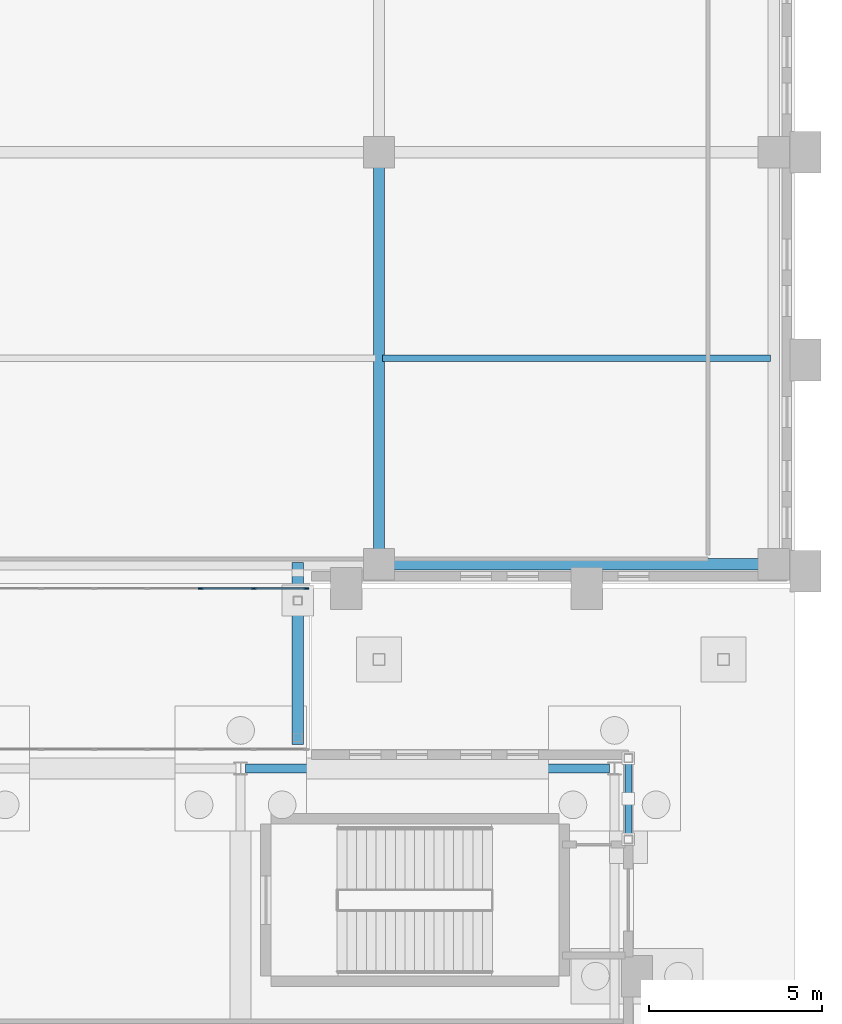
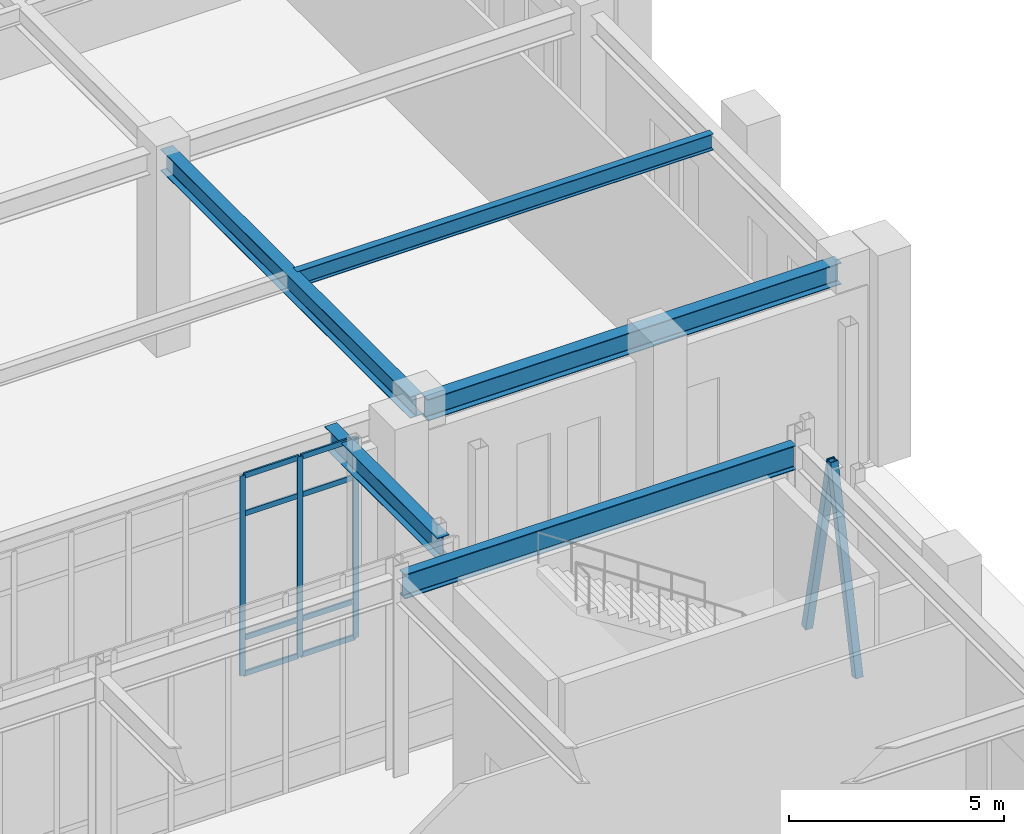
# One storey, part 73 of 143: 13 members, 5 beams, 1 element without a shape of its own.
"""IFC4 building model written with IfcOpenShell, lengths in metres."""

from ifc_helpers import new_model, si_unit, derived_unit, direction, frame, origin, origin_2d, place, context, subcontext, project, spatial, rectangle, hollow_rectangle, i_section, extrude, material, layer, layer_set, material_profile, profile_set, type_object, element, aggregate, save


model = new_model("IFC4")

# Units and contexts
model_context = context("Model", 3, precision=1e-05, world=origin(), true_north=direction((0.0, 1.0)))
body_context = subcontext(model_context, "Body", "Model", "MODEL_VIEW")
ifc_project = project(units=[si_unit("LENGTHUNIT", "METRE"), si_unit("AREAUNIT", "SQUARE_METRE"), si_unit("VOLUMEUNIT", "CUBIC_METRE"), si_unit("PLANEANGLEUNIT", "RADIAN"), si_unit("MASSUNIT", "GRAM", prefix="KILO"), derived_unit("THERMALTRANSMITTANCEUNIT", [(si_unit("MASSUNIT", "GRAM", prefix="KILO"), 1), (si_unit("TIMEUNIT", "SECOND"), -3), (si_unit("THERMODYNAMICTEMPERATUREUNIT", "KELVIN"), -1)])], contexts=[model_context])

# Site, building, storey
site_placement = place(None, origin())
site = spatial("IfcSite", under=ifc_project, at=site_placement, CompositionType="ELEMENT")
building_placement = place(site_placement, origin())
building = spatial("IfcBuilding", under=site, at=building_placement, Name="Valcora Ridge Arena", CompositionType="ELEMENT")
storey_placement = place(building_placement, origin())
storey = spatial("IfcBuildingStorey", under=building, at=storey_placement, Name="L00", CompositionType="ELEMENT", Elevation=0.0)

# Beams
ifc_material_1 = material(Name="Steel ASTM A572 Grade 50", Category="steel")
ifc_material_profile_1 = material_profile(ifc_material_1, i_section(OverallWidth=0.324951171875, OverallDepth=0.612060546875, WebThickness=0.0126953125, FlangeThickness=0.01904296875, FilletRadius=0.01806640625, at=origin_2d()), Name="W24X104")
ifc_profile_set_1 = profile_set([ifc_material_profile_1], Name="Steel ASTM A572 Grade 50")
beam_type_1 = type_object("IfcBeamType", Name="TY-BEAM-B-SJ1", PredefinedType="BEAM", material=ifc_profile_set_1)
beam_1_placement = place(storey_placement, frame((177.64990234375, 78.5, 5.3740234375), z_axis=(0.0, 1.0, 0.0), x_axis=(-1.0, 0.0, 0.0)))
element("IfcBeam", 1, at=beam_1_placement, inside=storey, type_object=beam_type_1, Name="B-SJ1 BEM-SJ-B-SJ1-0006", PredefinedType="BEAM", context=body_context, shape_type="SweptSolid", body=[
    extrude(i_section(OverallWidth=0.324951171875, OverallDepth=0.612060546875, WebThickness=0.0126953125, FlangeThickness=0.01904296875, FilletRadius=0.01806640625, at=origin_2d()), origin(), (0.0, 0.0, 1.0), 5.25),
])
ifc_material_profile_2 = material_profile(ifc_material_1, i_section(OverallWidth=0.324951171875, OverallDepth=0.612060546875, WebThickness=0.0126953125, FlangeThickness=0.01904296875, FilletRadius=0.01806640625, at=origin_2d()), Name="W24X104")
ifc_profile_set_2 = profile_set([ifc_material_profile_2], Name="Steel ASTM A572 Grade 50")
beam_type_2 = type_object("IfcBeamType", Name="TY-BEAM-G-W24X104-Y", PredefinedType="BEAM", material=ifc_profile_set_2)
beam_2_placement = place(storey_placement, frame((180.0, 83.840087890625, 5.333984375), z_axis=(0.0, 1.0, 0.0), x_axis=(-1.0, 0.0, 0.0)))
element("IfcBeam", 2, at=beam_2_placement, inside=storey, type_object=beam_type_2, Name="G-W24X104-Y BEM-G-W24X104-Y-0029", PredefinedType="BEAM", context=body_context, shape_type="SweptSolid", body=[
    extrude(i_section(OverallWidth=0.324951171875, OverallDepth=0.612060546875, WebThickness=0.0126953125, FlangeThickness=0.01904296875, FilletRadius=0.01806640625, at=origin_2d()), origin(), (0.0, 0.0, 1.0), 11.619873046875),
])
ifc_material_profile_3 = material_profile(ifc_material_1, i_section(OverallWidth=0.18994140625, OverallDepth=0.45703125, WebThickness=0.009033203125, FlangeThickness=0.014404296875, FilletRadius=0.014892578125, at=origin_2d()), Name="W18X50")
ifc_profile_set_3 = profile_set([ifc_material_profile_3], Name="Steel ASTM A572 Grade 50")
beam_type_3 = type_object("IfcBeamType", Name="TY-BEAM-J-W18X50", PredefinedType="JOIST", material=ifc_profile_set_3)
beam_3_placement = place(storey_placement, frame((180.10009765625, 89.64990234375, 5.41162109375), z_axis=(1.0, 0.0, 0.0), x_axis=(0.0, 1.0, 0.0)))
element("IfcBeam", 3, at=beam_3_placement, inside=storey, type_object=beam_type_3, Name="J-W18X50 BEM-J-W18X50-0023", PredefinedType="JOIST", context=body_context, shape_type="SweptSolid", body=[
    extrude(i_section(OverallWidth=0.18994140625, OverallDepth=0.45703125, WebThickness=0.009033203125, FlangeThickness=0.014404296875, FilletRadius=0.014892578125, at=origin_2d()), origin(), (0.0, 0.0, 1.0), 11.199951171875),
])
ifc_material_profile_4 = material_profile(ifc_material_1, i_section(OverallWidth=0.324951171875, OverallDepth=0.612060546875, WebThickness=0.0126953125, FlangeThickness=0.01904296875, FilletRadius=0.01806640625, at=origin_2d()), Name="W24X104")
ifc_profile_set_4 = profile_set([ifc_material_profile_4], Name="Steel ASTM A572 Grade 50")
beam_type_4 = type_object("IfcBeamType", Name="TY-BEAM-SP-W24X104", PredefinedType="SPANDREL", material=ifc_profile_set_4)
beam_4_placement = place(storey_placement, frame((180.139892578125, 83.699951171875, 5.333984375), z_axis=(1.0, 0.0, 0.0), x_axis=(0.0, 1.0, 0.0)))
element("IfcBeam", 4, at=beam_4_placement, inside=storey, type_object=beam_type_4, Name="SP-W24X104 BEM-SP-W24X104-0003", PredefinedType="SPANDREL", context=body_context, shape_type="SweptSolid", body=[
    extrude(i_section(OverallWidth=0.324951171875, OverallDepth=0.612060546875, WebThickness=0.0126953125, FlangeThickness=0.01904296875, FilletRadius=0.01806640625, at=origin_2d()), origin(), (0.0, 0.0, 1.0), 11.1201171875),
])
ifc_material_profile_5 = material_profile(ifc_material_1, i_section(OverallWidth=0.256103515625, OverallDepth=0.693115234375, WebThickness=0.014404296875, FlangeThickness=0.023681640625, FilletRadius=0.02001953125, at=origin_2d()), Name="W27X114")
ifc_profile_set_5 = profile_set([ifc_material_profile_5], Name="Steel ASTM A572 Grade 50")
beam_type_5 = type_object("IfcBeamType", Name="TY-BEAM-SP-W27X114", PredefinedType="SPANDREL", material=ifc_profile_set_5)
beam_5_placement = place(storey_placement, frame((176.139892578125, 77.800048828125, 5.2734375), z_axis=(1.0, 0.0, 0.0), x_axis=(0.0, 1.0, 0.0)))
element("IfcBeam", 5, at=beam_5_placement, inside=storey, type_object=beam_type_5, Name="SP-W27X114 BEM-SP-W27X114-0010", PredefinedType="SPANDREL", context=body_context, shape_type="SweptSolid", body=[
    extrude(i_section(OverallWidth=0.256103515625, OverallDepth=0.693115234375, WebThickness=0.014404296875, FlangeThickness=0.023681640625, FilletRadius=0.02001953125, at=origin_2d()), origin(), (0.0, 0.0, 1.0), 10.52001953125),
])

# Curtain wall, members
ifc_material_2 = material(Name="Anodised dark bronze architectural aluminium 6063-T6", Category="aluminium")
ifc_layer = layer(ifc_material_2, 0.14990234375, Name="Anodised dark bronze architectural aluminium 6063-T6")
ifc_layer_set = layer_set([ifc_layer], Name="Anodised dark bronze architectural aluminium 6063-T6")
curtain_wall_type = type_object("IfcCurtainWallType", Name="TY-CURTAINWALL-CW-BRG-138X57", PredefinedType="NOTDEFINED", material=ifc_layer_set)
curtain_wall_placement = place(storey_placement, origin())
curtain_wall = element("IfcCurtainWall", 6, at=curtain_wall_placement, inside=storey, type_object=curtain_wall_type, Name="CW-BRG-138X57 CW-0355", PredefinedType="NOTDEFINED")
ifc_material_profile_6 = material_profile(ifc_material_2, rectangle(XDim=0.050048828125, YDim=0.14990234375, at=origin_2d()), Name="ALU MULLION 50x150")
ifc_profile_set_6 = profile_set([ifc_material_profile_6], Name="Anodised dark bronze architectural aluminium 6063-T6")
member_type_1 = type_object("IfcMemberType", Name="TY-MEM-CWM-50x150", PredefinedType="MULLION", material=ifc_profile_set_6)
member_1_placement = place(storey_placement, frame((174.844482421875, 83.0, 0.0), z_axis=(0.0, 0.0, 1.0), x_axis=(0.0, 1.0, 0.0)))
member_1 = element("IfcMember", 7, at=member_1_placement, type_object=member_type_1, Name="CW-0355/CWM-50x150/M07", PredefinedType="MULLION", context=body_context, shape_type="SweptSolid", body=[
    extrude(rectangle(XDim=0.050048828125, YDim=0.14990234375, at=origin_2d()), origin(), (0.0, 0.0, 1.0), 5.679931640625),
])
member_2_placement = place(storey_placement, frame((176.382080078125, 83.0, 0.0), z_axis=(0.0, 0.0, 1.0), x_axis=(0.0, 1.0, 0.0)))
member_2 = element("IfcMember", 8, at=member_2_placement, type_object=member_type_1, Name="CW-0355/CWM-50x150/M08", PredefinedType="MULLION", context=body_context, shape_type="SweptSolid", body=[
    extrude(rectangle(XDim=0.050048828125, YDim=0.14990234375, at=origin_2d()), origin(), (0.0, 0.0, 1.0), 5.679931640625),
])
member_3_placement = place(storey_placement, frame((177.89501953125, 83.0, 0.0), z_axis=(0.0, 0.0, 1.0), x_axis=(0.0, 1.0, 0.0)))
member_3 = element("IfcMember", 9, at=member_3_placement, type_object=member_type_1, Name="CW-0355/CWM-50x150/M09", PredefinedType="MULLION", context=body_context, shape_type="SweptSolid", body=[
    extrude(rectangle(XDim=0.050048828125, YDim=0.14990234375, at=origin_2d()), origin(), (0.0, 0.0, 1.0), 5.679931640625),
])
ifc_material_profile_7 = material_profile(ifc_material_2, rectangle(XDim=0.050048828125, YDim=0.14990234375, at=origin_2d()), Name="ALU TRANSOM 50x150")
ifc_profile_set_7 = profile_set([ifc_material_profile_7], Name="Anodised dark bronze architectural aluminium 6063-T6")
member_type_2 = type_object("IfcMemberType", Name="TY-MEM-CWT-50x150", PredefinedType="USERDEFINED", material=ifc_profile_set_7)
member_4_placement = place(storey_placement, frame((174.868896484375, 83.0, 0.02490234375), z_axis=(1.0, 0.0, 0.0), x_axis=(0.0, 1.0, 0.0)))
member_4 = element("IfcMember", 10, at=member_4_placement, type_object=member_type_2, Name="CW-0355/CWT-50x150/T07-00", ObjectType="TRANSOM", PredefinedType="USERDEFINED", context=body_context, shape_type="SweptSolid", body=[
    extrude(rectangle(XDim=0.050048828125, YDim=0.14990234375, at=origin_2d()), origin(), (0.0, 0.0, 1.0), 1.488037109375),
])
member_5_placement = place(storey_placement, frame((174.868896484375, 83.0, 1.050048828125), z_axis=(1.0, 0.0, 0.0), x_axis=(0.0, 1.0, 0.0)))
member_5 = element("IfcMember", 11, at=member_5_placement, type_object=member_type_2, Name="CW-0355/CWT-50x150/T07-01", ObjectType="TRANSOM", PredefinedType="USERDEFINED", context=body_context, shape_type="SweptSolid", body=[
    extrude(rectangle(XDim=0.050048828125, YDim=0.14990234375, at=origin_2d()), origin(), (0.0, 0.0, 1.0), 1.488037109375),
])
member_6_placement = place(storey_placement, frame((174.868896484375, 83.0, 4.580078125), z_axis=(1.0, 0.0, 0.0), x_axis=(0.0, 1.0, 0.0)))
member_6 = element("IfcMember", 12, at=member_6_placement, type_object=member_type_2, Name="CW-0355/CWT-50x150/T07-02", ObjectType="TRANSOM", PredefinedType="USERDEFINED", context=body_context, shape_type="SweptSolid", body=[
    extrude(rectangle(XDim=0.050048828125, YDim=0.14990234375, at=origin_2d()), origin(), (0.0, 0.0, 1.0), 1.488037109375),
])
member_7_placement = place(storey_placement, frame((174.868896484375, 83.0, 5.655029296875), z_axis=(1.0, 0.0, 0.0), x_axis=(0.0, 1.0, 0.0)))
member_7 = element("IfcMember", 13, at=member_7_placement, type_object=member_type_2, Name="CW-0355/CWT-50x150/T07-03", ObjectType="TRANSOM", PredefinedType="USERDEFINED", context=body_context, shape_type="SweptSolid", body=[
    extrude(rectangle(XDim=0.050048828125, YDim=0.14990234375, at=origin_2d()), origin(), (0.0, 0.0, 1.0), 1.488037109375),
])
member_8_placement = place(storey_placement, frame((176.406982421875, 83.0, 0.02490234375), z_axis=(1.0, 0.0, 0.0), x_axis=(0.0, 1.0, 0.0)))
member_8 = element("IfcMember", 14, at=member_8_placement, type_object=member_type_2, Name="CW-0355/CWT-50x150/T08-00", ObjectType="TRANSOM", PredefinedType="USERDEFINED", context=body_context, shape_type="SweptSolid", body=[
    extrude(rectangle(XDim=0.050048828125, YDim=0.14990234375, at=origin_2d()), origin(), (0.0, 0.0, 1.0), 1.463134765625),
])
member_9_placement = place(storey_placement, frame((176.406982421875, 83.0, 1.050048828125), z_axis=(1.0, 0.0, 0.0), x_axis=(0.0, 1.0, 0.0)))
member_9 = element("IfcMember", 15, at=member_9_placement, type_object=member_type_2, Name="CW-0355/CWT-50x150/T08-01", ObjectType="TRANSOM", PredefinedType="USERDEFINED", context=body_context, shape_type="SweptSolid", body=[
    extrude(rectangle(XDim=0.050048828125, YDim=0.14990234375, at=origin_2d()), origin(), (0.0, 0.0, 1.0), 1.463134765625),
])
member_10_placement = place(storey_placement, frame((176.406982421875, 83.0, 4.580078125), z_axis=(1.0, 0.0, 0.0), x_axis=(0.0, 1.0, 0.0)))
member_10 = element("IfcMember", 16, at=member_10_placement, type_object=member_type_2, Name="CW-0355/CWT-50x150/T08-02", ObjectType="TRANSOM", PredefinedType="USERDEFINED", context=body_context, shape_type="SweptSolid", body=[
    extrude(rectangle(XDim=0.050048828125, YDim=0.14990234375, at=origin_2d()), origin(), (0.0, 0.0, 1.0), 1.463134765625),
])
member_11_placement = place(storey_placement, frame((176.406982421875, 83.0, 5.655029296875), z_axis=(1.0, 0.0, 0.0), x_axis=(0.0, 1.0, 0.0)))
member_11 = element("IfcMember", 17, at=member_11_placement, type_object=member_type_2, Name="CW-0355/CWT-50x150/T08-03", ObjectType="TRANSOM", PredefinedType="USERDEFINED", context=body_context, shape_type="SweptSolid", body=[
    extrude(rectangle(XDim=0.050048828125, YDim=0.14990234375, at=origin_2d()), origin(), (0.0, 0.0, 1.0), 1.463134765625),
])
aggregate(curtain_wall, [member_1, member_2, member_3, member_4, member_5, member_6, member_7, member_8, member_9, member_10, member_11])

# Members
ifc_material_3 = material(Name="Steel ASTM A500 Grade C", Category="steel")
ifc_material_profile_8 = material_profile(ifc_material_3, hollow_rectangle(XDim=0.199951171875, YDim=0.199951171875, WallThickness=0.012451171875, at=origin_2d()), Name="HSS200X200X12")
ifc_profile_set_8 = profile_set([ifc_material_profile_8], Name="Steel ASTM A500 Grade C")
member_type_3 = type_object("IfcMemberType", Name="TY-MEMBER-CBF-200A", PredefinedType="BRACE", material=ifc_profile_set_8)
member_12_placement = place(storey_placement, frame((187.199951171875, 75.75, 0.02001953125), z_axis=(0.0, 0.211134572927, 0.977457002694), x_axis=(-1.0, 0.0, 0.0)))
element("IfcMember", 18, at=member_12_placement, inside=storey, type_object=member_type_3, Name="CBF-200A Diagonal Brace", PredefinedType="BRACE", context=body_context, shape_type="SweptSolid", body=[
    extrude(hollow_rectangle(XDim=0.199951171875, YDim=0.199951171875, WallThickness=0.012451171875, at=origin_2d()), origin(), (0.0, 0.0, 1.0), 5.5654296875),
])
ifc_material_profile_9 = material_profile(ifc_material_3, hollow_rectangle(XDim=0.199951171875, YDim=0.199951171875, WallThickness=0.012451171875, at=origin_2d()), Name="HSS200X200X12")
ifc_profile_set_9 = profile_set([ifc_material_profile_9], Name="Steel ASTM A500 Grade C")
member_type_4 = type_object("IfcMemberType", Name="TY-MEMBER-CBF-200B", PredefinedType="BRACE", material=ifc_profile_set_9)
member_13_placement = place(storey_placement, frame((187.199951171875, 78.10009765625, 0.02001953125), z_axis=(0.0, -0.211134572927, 0.977457002694), x_axis=(1.0, 0.0, 0.0)))
element("IfcMember", 19, at=member_13_placement, inside=storey, type_object=member_type_4, Name="CBF-200B Diagonal Brace", PredefinedType="BRACE", context=body_context, shape_type="SweptSolid", body=[
    extrude(hollow_rectangle(XDim=0.199951171875, YDim=0.199951171875, WallThickness=0.012451171875, at=origin_2d()), origin(), (0.0, 0.0, 1.0), 5.5654296875),
])

save(model, "model.ifc")
